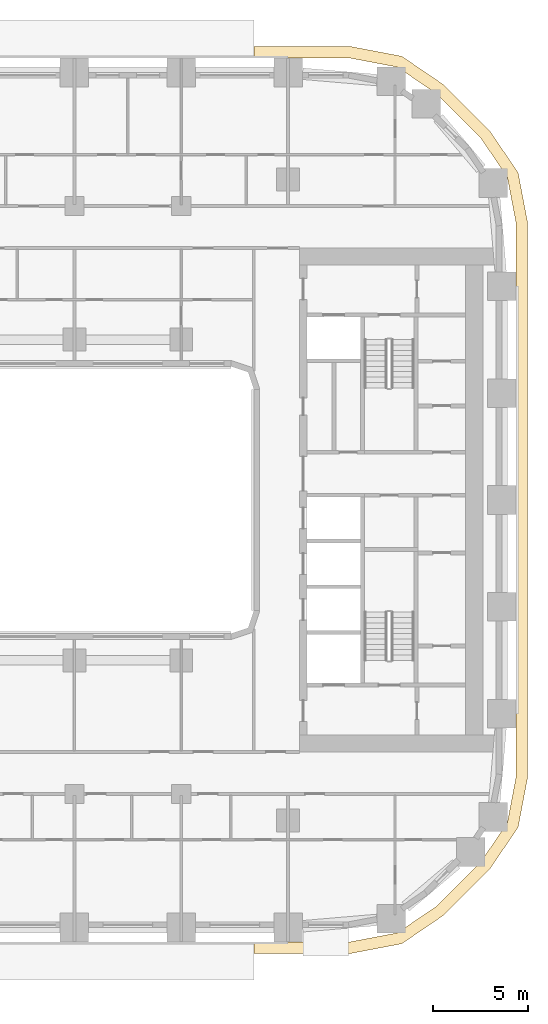
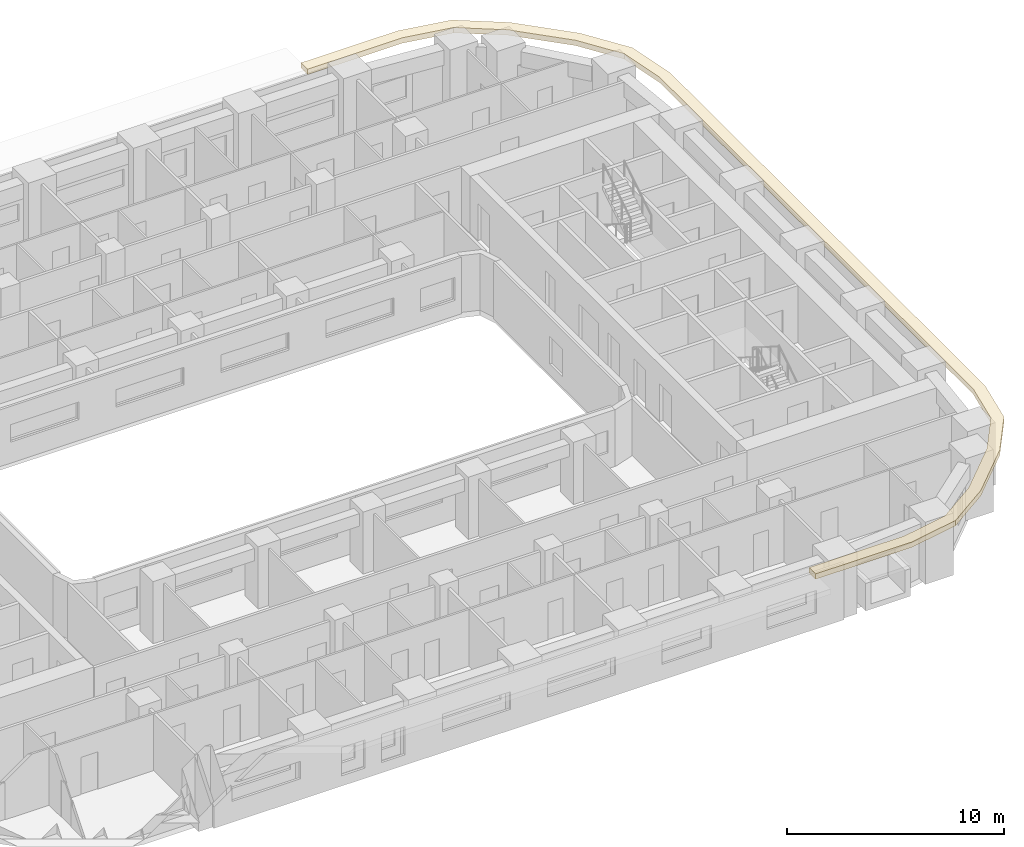
# One storey, part 18 of 22: 1 covering.
"""IFC4 building model written with IfcOpenShell, lengths in metres."""

from ifc_helpers import new_model, si_unit, direction, frame, origin, place, context, subcontext, project, spatial, polyline, outline, extrude, material, layer, layer_set, type_object, element, save


model = new_model("IFC4")

# Units and contexts
model_context = context("Model", 3, precision=1e-05, world=origin(), true_north=direction((0.0, 1.0)))
body_context = subcontext(model_context, "Body", "Model", "MODEL_VIEW")
ifc_project = project(units=[si_unit("LENGTHUNIT", "METRE"), si_unit("AREAUNIT", "SQUARE_METRE"), si_unit("VOLUMEUNIT", "CUBIC_METRE"), si_unit("PLANEANGLEUNIT", "RADIAN"), si_unit("MASSUNIT", "GRAM", prefix="KILO")], contexts=[model_context])

# Site, building, storey
site_placement = place(None, origin())
site = spatial("IfcSite", under=ifc_project, at=site_placement, CompositionType="ELEMENT")
building_placement = place(site_placement, origin())
building = spatial("IfcBuilding", under=site, at=building_placement, Name="Kiln Ring Residences", CompositionType="ELEMENT")
storey_placement = place(building_placement, frame((0.0, 0.0, 44.5)))
storey = spatial("IfcBuildingStorey", under=building, at=storey_placement, Name="L10", CompositionType="ELEMENT", Elevation=44.5)

# Covering
ifc_material = material(Name="Black powder-coated steel", Category="steel")
ifc_layer = layer(ifc_material, 0.300048828125)
ifc_layer_set = layer_set([ifc_layer], Name="SUNSHADE FIN 600")
covering_type = type_object("IfcCoveringType", Name="SUNSHADE FIN 600", PredefinedType="CLADDING", material=ifc_layer_set)
covering_placement = place(storey_placement, frame((0.0, 0.0, 3.199951171875)))
element("IfcCovering", 1, at=covering_placement, inside=storey, type_object=covering_type, Name="SUNSHADE FIN L10", PredefinedType="CLADDING", context=body_context, shape_type="SweptSolid", body=[
    extrude(outline(polyline([(20.127685546875, 23.75), (15.0, 23.75), (15.0, 23.14990234375), (20.07080078125, 23.14990234375), (22.517333984375, 22.683349609375), (24.577392578125, 21.283447265625), (26.88330078125, 18.977294921875), (28.283447265625, 16.91748046875), (28.75, 14.470947265625), (28.75, -14.470947265625), (28.283447265625, -16.91748046875), (26.88330078125, -18.977294921875), (24.577392578125, -21.283447265625), (22.517333984375, -22.683349609375), (20.07080078125, -23.14990234375), (15.0, -23.14990234375), (15.0, -23.75), (20.127685546875, -23.75), (22.751953125, -23.24951171875), (24.96142578125, -21.747802734375), (27.347900390625, -19.361328125), (28.849365234375, -17.15185546875), (29.35009765625, -14.527587890625), (29.35009765625, 14.527587890625), (28.849365234375, 17.15185546875), (27.347900390625, 19.361328125), (24.96142578125, 21.747802734375), (22.751953125, 23.24951171875), (20.127685546875, 23.75)])), origin(), (0.0, 0.0, 1.0), 0.300048828125),
])

save(model, "model.ifc")
